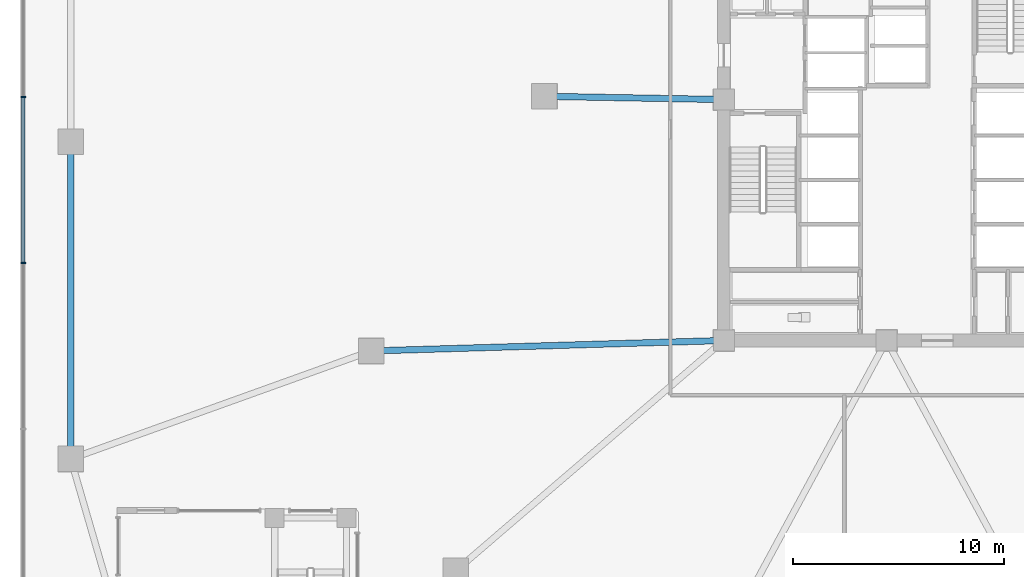
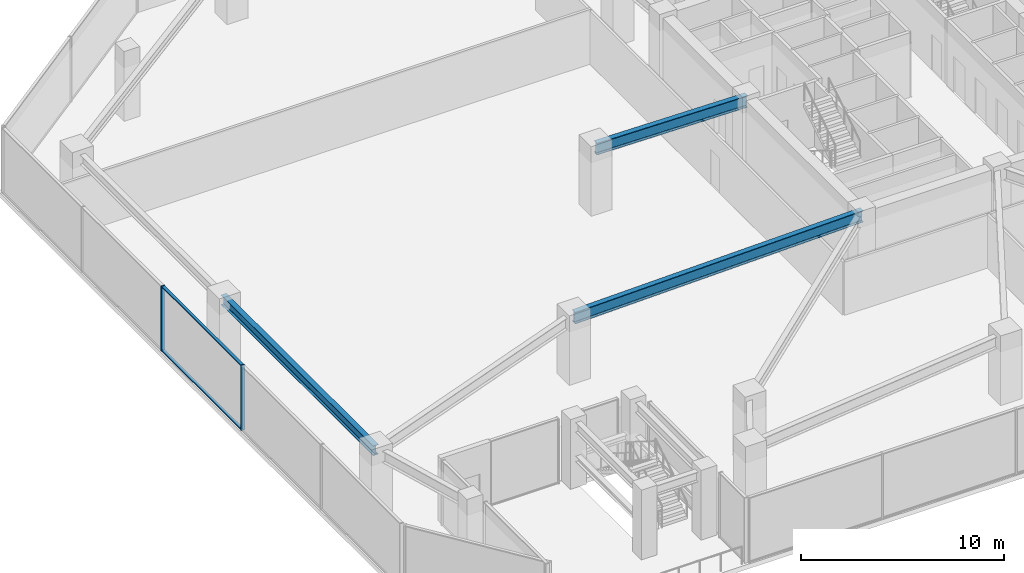
# One storey, part 3 of 21: 4 members, 3 beams, 1 element without a shape of its own.
"""IFC4 building model written with IfcOpenShell, lengths in metres."""

from ifc_helpers import new_model, si_unit, direction, frame, origin, origin_2d, place, context, subcontext, project, spatial, rectangle, i_section, extrude, material, material_profile, profile_set, type_object, element, aggregate, save


model = new_model("IFC4")

# Units and contexts
model_context = context("Model", 3, precision=1e-05, world=origin(), true_north=direction((0.0, 1.0)))
body_context = subcontext(model_context, "Body", "Model", "MODEL_VIEW")
ifc_project = project(units=[si_unit("LENGTHUNIT", "METRE"), si_unit("AREAUNIT", "SQUARE_METRE"), si_unit("VOLUMEUNIT", "CUBIC_METRE"), si_unit("PLANEANGLEUNIT", "RADIAN"), si_unit("MASSUNIT", "GRAM", prefix="KILO")], contexts=[model_context])

# Site, building, storey
site_placement = place(None, origin())
site = spatial("IfcSite", under=ifc_project, at=site_placement, CompositionType="ELEMENT")
building_placement = place(site_placement, origin())
building = spatial("IfcBuilding", under=site, at=building_placement, Name="Savorim Split Tower", CompositionType="ELEMENT")
storey_placement = place(building_placement, frame((0.0, 0.0, 9.199951171875)))
storey = spatial("IfcBuildingStorey", under=building, at=storey_placement, Name="L02", CompositionType="ELEMENT", Elevation=9.199951171875)

# Beams
ifc_material_1 = material(Name="Steel S355", Category="steel")
ifc_material_profile_1 = material_profile(ifc_material_1, i_section(OverallWidth=0.300048828125, OverallDepth=0.699951171875, WebThickness=0.01708984375, FlangeThickness=0.031982421875, FilletRadius=0.027099609375, at=origin_2d()), Name="HEB 700")
ifc_profile_set_1 = profile_set([ifc_material_profile_1], Name="Steel S355")
beam_type_1 = type_object("IfcBeamType", Name="BM-PRI-HEB700", PredefinedType="BEAM", material=ifc_profile_set_1)
beam_1_placement = place(storey_placement, frame((-16.1884765625, 2.15380859375, 3.570068359375), z_axis=(0.999835880654, -0.018116615514, 0.0), x_axis=(0.018116615514, 0.999835880654, 0.0)))
element("IfcBeam", 1, at=beam_1_placement, inside=storey, type_object=beam_type_1, Name="L02 Podium Primary Girder BG-30", PredefinedType="BEAM", context=body_context, shape_type="SweptSolid", body=[
    extrude(i_section(OverallWidth=0.300048828125, OverallDepth=0.699951171875, WebThickness=0.01708984375, FlangeThickness=0.031982421875, FilletRadius=0.027099609375, at=origin_2d()), origin(), (0.0, 0.0, 1.0), 8.489990234375),
])
beam_2_placement = place(storey_placement, frame((-24.384521484375, -9.894287109375, 3.570068359375), z_axis=(0.999561283227, 0.029618255758, 0.0), x_axis=(-0.029618255758, 0.999561283227, 0.0)))
element("IfcBeam", 2, at=beam_2_placement, inside=storey, type_object=beam_type_1, Name="L02 Podium Primary Girder BG-31", PredefinedType="BEAM", context=body_context, shape_type="SweptSolid", body=[
    extrude(i_section(OverallWidth=0.300048828125, OverallDepth=0.699951171875, WebThickness=0.01708984375, FlangeThickness=0.031982421875, FilletRadius=0.027099609375, at=origin_2d()), origin(), (0.0, 0.0, 1.0), 16.69189453125),
])
ifc_material_profile_2 = material_profile(ifc_material_1, i_section(OverallWidth=0.300048828125, OverallDepth=0.590087890625, WebThickness=0.012939453125, FlangeThickness=0.02490234375, FilletRadius=0.027099609375, at=origin_2d()), Name="HEA 600")
ifc_profile_set_2 = profile_set([ifc_material_profile_2], Name="Steel S355")
beam_type_2 = type_object("IfcBeamType", Name="BM-SPN-HEA600", PredefinedType="SPANDREL", material=ifc_profile_set_2)
beam_3_placement = place(storey_placement, frame((-38.60009765625, 0.0, 3.625), z_axis=(0.0, -1.0, 0.0), x_axis=(1.0, 0.0, 0.0)))
element("IfcBeam", 3, at=beam_3_placement, inside=storey, type_object=beam_type_2, Name="L02 Podium Spandrel Beam 11", PredefinedType="SPANDREL", context=body_context, shape_type="SweptSolid", body=[
    extrude(i_section(OverallWidth=0.300048828125, OverallDepth=0.590087890625, WebThickness=0.012939453125, FlangeThickness=0.02490234375, FilletRadius=0.027099609375, at=origin_2d()), origin(), (0.0, 0.0, 1.0), 15.0),
])

# Curtain wall, members
ifc_material_2 = material(Name="Dark Ceramic-Fritted Insulated Glass", Category="glass")
curtain_wall_type = type_object("IfcCurtainWallType", Name="CW-POD-GLZ", PredefinedType="NOTDEFINED", material=ifc_material_2)
curtain_wall_placement = place(storey_placement, origin())
curtain_wall = element("IfcCurtainWall", 4, at=curtain_wall_placement, inside=storey, type_object=curtain_wall_type, Name="L02 Curtain Wall CW-L02-E10", PredefinedType="NOTDEFINED")
ifc_material_3 = material(Name="Charcoal Anodised Aluminium", Category="aluminium")
ifc_material_profile_3 = material_profile(ifc_material_3, rectangle(XDim=0.219970703125, YDim=0.070068359375, at=origin_2d()), Name="ALU-M 220x70")
ifc_profile_set_3 = profile_set([ifc_material_profile_3], Name="Charcoal Anodised Aluminium")
member_type_1 = type_object("IfcMemberType", Name="CWM-220x70", PredefinedType="MULLION", material=ifc_profile_set_3)
member_1_placement = place(storey_placement, frame((-40.840087890625, 2.132080078125, 0.0), z_axis=(0.0, 0.0, 1.0), x_axis=(1.0, 0.0, 0.0)))
member_1 = element("IfcMember", 5, at=member_1_placement, type_object=member_type_1, Name="CW-01 mullion 3", PredefinedType="MULLION", context=body_context, shape_type="SweptSolid", body=[
    extrude(rectangle(XDim=0.219970703125, YDim=0.070068359375, at=origin_2d()), origin(), (0.0, 0.0, 1.0), 3.920166015625),
])
member_2_placement = place(storey_placement, frame((-40.840087890625, -5.73193359375, 0.0), z_axis=(0.0, 0.0, 1.0), x_axis=(1.0, 0.0, 0.0)))
member_2 = element("IfcMember", 6, at=member_2_placement, type_object=member_type_1, Name="CW-01 mullion 4", PredefinedType="MULLION", context=body_context, shape_type="SweptSolid", body=[
    extrude(rectangle(XDim=0.219970703125, YDim=0.070068359375, at=origin_2d()), origin(), (0.0, 0.0, 1.0), 3.920166015625),
])
ifc_material_profile_4 = material_profile(ifc_material_3, rectangle(XDim=0.159912109375, YDim=0.06005859375, at=origin_2d()), Name="ALU-T 160x60")
ifc_profile_set_4 = profile_set([ifc_material_profile_4], Name="Charcoal Anodised Aluminium")
member_type_2 = type_object("IfcMemberType", Name="CWT-160x60", PredefinedType="USERDEFINED", material=ifc_profile_set_4)
member_3_placement = place(storey_placement, frame((-40.840087890625, 2.096923828125, 0.030029296875), z_axis=(0.0, -1.0, 0.0), x_axis=(1.0, 0.0, 0.0)))
member_3 = element("IfcMember", 7, at=member_3_placement, type_object=member_type_2, Name="CW-01 transom 3.1", ObjectType="TRANSOM", PredefinedType="USERDEFINED", context=body_context, shape_type="SweptSolid", body=[
    extrude(rectangle(XDim=0.159912109375, YDim=0.06005859375, at=origin_2d()), origin(), (0.0, 0.0, 1.0), 7.7939453125),
])
member_4_placement = place(storey_placement, frame((-40.840087890625, 2.096923828125, 3.89013671875), z_axis=(0.0, -1.0, 0.0), x_axis=(1.0, 0.0, 0.0)))
member_4 = element("IfcMember", 8, at=member_4_placement, type_object=member_type_2, Name="CW-01 transom 3.2", ObjectType="TRANSOM", PredefinedType="USERDEFINED", context=body_context, shape_type="SweptSolid", body=[
    extrude(rectangle(XDim=0.159912109375, YDim=0.06005859375, at=origin_2d()), origin(), (0.0, 0.0, 1.0), 7.7939453125),
])
aggregate(curtain_wall, [member_1, member_2, member_3, member_4])

save(model, "model.ifc")
